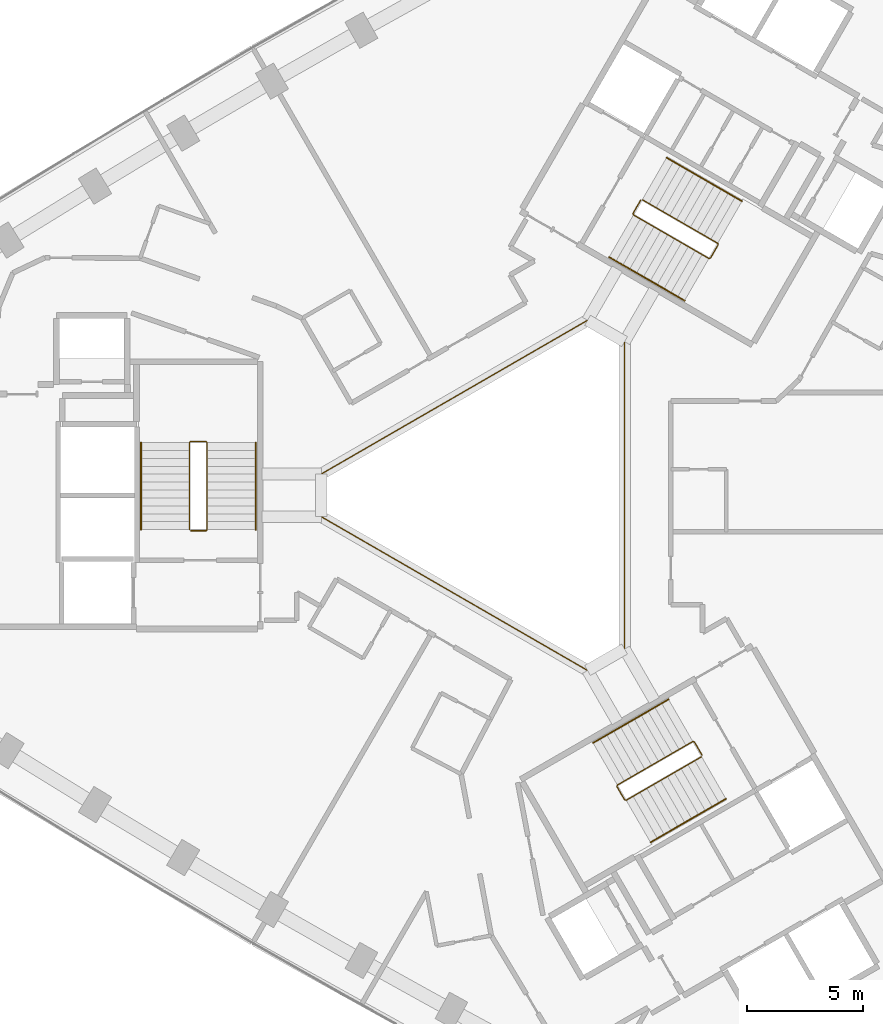
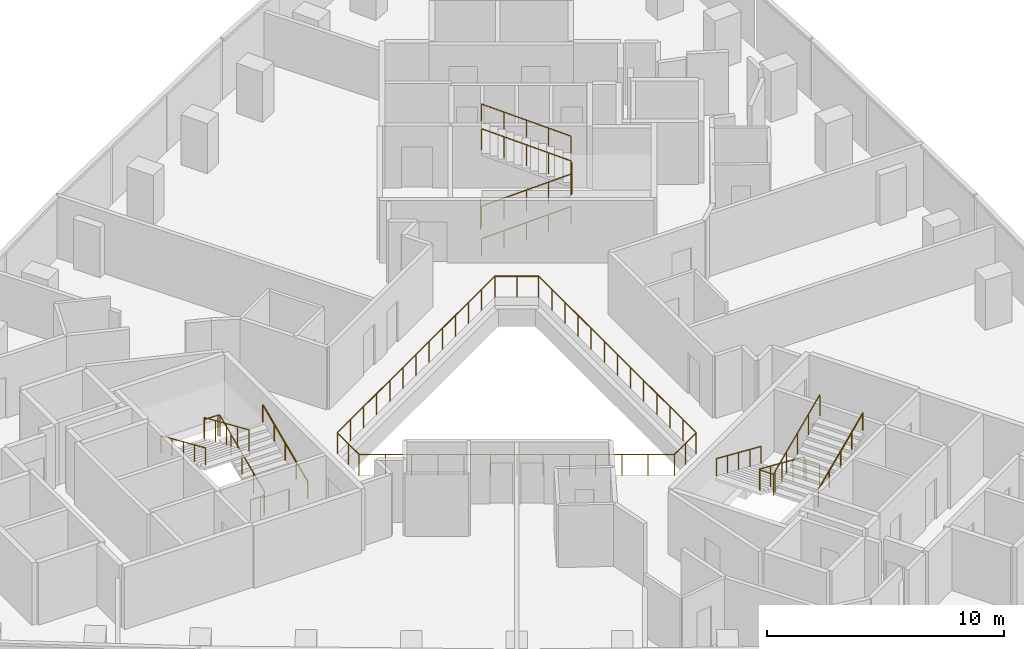
# One storey, part 12 of 12: 10 railings.
"""IFC4 building model written with IfcOpenShell, lengths in metres."""

from ifc_helpers import new_model, si_unit, direction, frame, origin, origin_2d, place, context, subcontext, project, spatial, circle, extrude, material, type_object, element, save


model = new_model("IFC4")

# Units and contexts
model_context = context("Model", 3, precision=1e-05, world=origin(), true_north=direction((0.0, 1.0)))
body_context = subcontext(model_context, "Body", "Model", "MODEL_VIEW")
ifc_project = project(units=[si_unit("LENGTHUNIT", "METRE"), si_unit("AREAUNIT", "SQUARE_METRE"), si_unit("VOLUMEUNIT", "CUBIC_METRE"), si_unit("PLANEANGLEUNIT", "RADIAN"), si_unit("MASSUNIT", "GRAM", prefix="KILO")], contexts=[model_context])

# Site, building, storey
site_placement = place(None, origin())
site = spatial("IfcSite", under=ifc_project, at=site_placement, CompositionType="ELEMENT")
building_placement = place(site_placement, origin())
building = spatial("IfcBuilding", under=site, at=building_placement, Name="Tamra Quay Hotel Tower", CompositionType="ELEMENT")
storey_placement = place(building_placement, frame((0.0, 0.0, 115.39990234375)))
storey = spatial("IfcBuildingStorey", under=building, at=storey_placement, Name="L28", CompositionType="ELEMENT", Elevation=115.39990234375)

# Railings
ifc_material_1 = material(Name="Guard atrium edge 1100")
railing_type_1 = type_object("IfcRailingType", Name="Guard atrium edge 1100", PredefinedType="GUARDRAIL", material=ifc_material_1)
railing_1_placement = place(storey_placement, frame((4.89990234375, -6.639892578125, 0.0)))
element("IfcRailing", 1, at=railing_1_placement, inside=storey, type_object=railing_type_1, Name="G-A", PredefinedType="GUARDRAIL", context=body_context, shape_type="SweptSolid", body=[
    extrude(circle(Radius=0.02392578125, at=origin_2d()), frame((0.0, 0.0, 1.076171875), z_axis=(-0.866161379324, -0.499764409465, 0.0), x_axis=(0.499764409465, -0.866161379324, 0.0)), (0.0, 0.0, 1.0), 1.84716796875),
    extrude(circle(Radius=0.02392578125, at=origin_2d()), frame((-1.599853515625, -0.923095703125, 1.076171875), z_axis=(-0.866045362687, 0.499965428574, 0.0), x_axis=(-0.499965428574, -0.866045362687, 0.0)), (0.0, 0.0, 1.0), 13.27880859375),
    extrude(circle(Radius=0.02392578125, at=origin_2d()), frame((-13.099853515625, 5.7158203125, 1.076171875), z_axis=(0.0, 1.0, 0.0), x_axis=(-1.0, 0.0, 0.0)), (0.0, 0.0, 1.0), 1.84814453125),
    extrude(circle(Radius=0.02392578125, at=origin_2d()), frame((-13.099853515625, 7.56396484375, 1.076171875), z_axis=(0.866045362687, 0.499965428574, 0.0), x_axis=(-0.499965428574, 0.866045362687, 0.0)), (0.0, 0.0, 1.0), 13.27880859375),
    extrude(circle(Radius=0.02392578125, at=origin_2d()), frame((-1.599853515625, 14.202880859375, 1.076171875), z_axis=(0.866161379324, -0.499764409465, 0.0), x_axis=(0.499764409465, 0.866161379324, 0.0)), (0.0, 0.0, 1.0), 1.84716796875),
    extrude(circle(Radius=0.02392578125, at=origin_2d()), frame((0.0, 13.27978515625, 1.076171875), z_axis=(0.0, -1.0, 0.0), x_axis=(1.0, 0.0, 0.0)), (0.0, 0.0, 1.0), 13.27978515625),
    extrude(circle(Radius=0.02099609375, at=origin_2d()), origin(), (0.0, 0.0, 1.0), 1.052001953125),
    extrude(circle(Radius=0.02099609375, at=origin_2d()), frame((-0.7998046875, -0.46142578125, 0.0)), (0.0, 0.0, 1.0), 1.052001953125),
    extrude(circle(Radius=0.02099609375, at=origin_2d()), frame((-1.599853515625, -0.923095703125, 0.0)), (0.0, 0.0, 1.0), 1.052001953125),
    extrude(circle(Radius=0.02099609375, at=origin_2d()), frame((-2.55810546875, -0.369873046875, 0.0)), (0.0, 0.0, 1.0), 1.052001953125),
    extrude(circle(Radius=0.02099609375, at=origin_2d()), frame((-3.5166015625, 0.183349609375, 0.0)), (0.0, 0.0, 1.0), 1.052001953125),
    extrude(circle(Radius=0.02099609375, at=origin_2d()), frame((-4.474853515625, 0.736572265625, 0.0)), (0.0, 0.0, 1.0), 1.052001953125),
    extrude(circle(Radius=0.02099609375, at=origin_2d()), frame((-5.43310546875, 1.289794921875, 0.0)), (0.0, 0.0, 1.0), 1.052001953125),
    extrude(circle(Radius=0.02099609375, at=origin_2d()), frame((-6.3916015625, 1.843017578125, 0.0)), (0.0, 0.0, 1.0), 1.052001953125),
    extrude(circle(Radius=0.02099609375, at=origin_2d()), frame((-7.349853515625, 2.396484375, 0.0)), (0.0, 0.0, 1.0), 1.052001953125),
    extrude(circle(Radius=0.02099609375, at=origin_2d()), frame((-8.30810546875, 2.94970703125, 0.0)), (0.0, 0.0, 1.0), 1.052001953125),
    extrude(circle(Radius=0.02099609375, at=origin_2d()), frame((-9.2666015625, 3.5029296875, 0.0)), (0.0, 0.0, 1.0), 1.052001953125),
    extrude(circle(Radius=0.02099609375, at=origin_2d()), frame((-10.224853515625, 4.05615234375, 0.0)), (0.0, 0.0, 1.0), 1.052001953125),
    extrude(circle(Radius=0.02099609375, at=origin_2d()), frame((-11.18310546875, 4.609375, 0.0)), (0.0, 0.0, 1.0), 1.052001953125),
    extrude(circle(Radius=0.02099609375, at=origin_2d()), frame((-12.1416015625, 5.16259765625, 0.0)), (0.0, 0.0, 1.0), 1.052001953125),
    extrude(circle(Radius=0.02099609375, at=origin_2d()), frame((-13.099853515625, 5.7158203125, 0.0)), (0.0, 0.0, 1.0), 1.052001953125),
    extrude(circle(Radius=0.02099609375, at=origin_2d()), frame((-13.099853515625, 6.639892578125, 0.0)), (0.0, 0.0, 1.0), 1.052001953125),
    extrude(circle(Radius=0.02099609375, at=origin_2d()), frame((-13.099853515625, 7.56396484375, 0.0)), (0.0, 0.0, 1.0), 1.052001953125),
    extrude(circle(Radius=0.02099609375, at=origin_2d()), frame((-12.1416015625, 8.1171875, 0.0)), (0.0, 0.0, 1.0), 1.052001953125),
    extrude(circle(Radius=0.02099609375, at=origin_2d()), frame((-11.18310546875, 8.67041015625, 0.0)), (0.0, 0.0, 1.0), 1.052001953125),
    extrude(circle(Radius=0.02099609375, at=origin_2d()), frame((-10.224853515625, 9.2236328125, 0.0)), (0.0, 0.0, 1.0), 1.052001953125),
    extrude(circle(Radius=0.02099609375, at=origin_2d()), frame((-9.2666015625, 9.77685546875, 0.0)), (0.0, 0.0, 1.0), 1.052001953125),
    extrude(circle(Radius=0.02099609375, at=origin_2d()), frame((-8.30810546875, 10.330078125, 0.0)), (0.0, 0.0, 1.0), 1.052001953125),
    extrude(circle(Radius=0.02099609375, at=origin_2d()), frame((-7.349853515625, 10.88330078125, 0.0)), (0.0, 0.0, 1.0), 1.052001953125),
    extrude(circle(Radius=0.02099609375, at=origin_2d()), frame((-6.3916015625, 11.436767578125, 0.0)), (0.0, 0.0, 1.0), 1.052001953125),
    extrude(circle(Radius=0.02099609375, at=origin_2d()), frame((-5.43310546875, 11.989990234375, 0.0)), (0.0, 0.0, 1.0), 1.052001953125),
    extrude(circle(Radius=0.02099609375, at=origin_2d()), frame((-4.474853515625, 12.543212890625, 0.0)), (0.0, 0.0, 1.0), 1.052001953125),
    extrude(circle(Radius=0.02099609375, at=origin_2d()), frame((-3.5166015625, 13.096435546875, 0.0)), (0.0, 0.0, 1.0), 1.052001953125),
    extrude(circle(Radius=0.02099609375, at=origin_2d()), frame((-2.55810546875, 13.649658203125, 0.0)), (0.0, 0.0, 1.0), 1.052001953125),
    extrude(circle(Radius=0.02099609375, at=origin_2d()), frame((-1.599853515625, 14.202880859375, 0.0)), (0.0, 0.0, 1.0), 1.052001953125),
    extrude(circle(Radius=0.02099609375, at=origin_2d()), frame((-0.7998046875, 13.7412109375, 0.0)), (0.0, 0.0, 1.0), 1.052001953125),
    extrude(circle(Radius=0.02099609375, at=origin_2d()), frame((0.0, 13.27978515625, 0.0)), (0.0, 0.0, 1.0), 1.052001953125),
    extrude(circle(Radius=0.02099609375, at=origin_2d()), frame((0.0, 12.173095703125, 0.0)), (0.0, 0.0, 1.0), 1.052001953125),
    extrude(circle(Radius=0.02099609375, at=origin_2d()), frame((0.0, 11.06640625, 0.0)), (0.0, 0.0, 1.0), 1.052001953125),
    extrude(circle(Radius=0.02099609375, at=origin_2d()), frame((0.0, 9.9599609375, 0.0)), (0.0, 0.0, 1.0), 1.052001953125),
    extrude(circle(Radius=0.02099609375, at=origin_2d()), frame((0.0, 8.853271484375, 0.0)), (0.0, 0.0, 1.0), 1.052001953125),
    extrude(circle(Radius=0.02099609375, at=origin_2d()), frame((0.0, 7.74658203125, 0.0)), (0.0, 0.0, 1.0), 1.052001953125),
    extrude(circle(Radius=0.02099609375, at=origin_2d()), frame((0.0, 6.639892578125, 0.0)), (0.0, 0.0, 1.0), 1.052001953125),
    extrude(circle(Radius=0.02099609375, at=origin_2d()), frame((0.0, 5.533203125, 0.0)), (0.0, 0.0, 1.0), 1.052001953125),
    extrude(circle(Radius=0.02099609375, at=origin_2d()), frame((0.0, 4.426513671875, 0.0)), (0.0, 0.0, 1.0), 1.052001953125),
    extrude(circle(Radius=0.02099609375, at=origin_2d()), frame((0.0, 3.31982421875, 0.0)), (0.0, 0.0, 1.0), 1.052001953125),
    extrude(circle(Radius=0.02099609375, at=origin_2d()), frame((0.0, 2.21337890625, 0.0)), (0.0, 0.0, 1.0), 1.052001953125),
    extrude(circle(Radius=0.02099609375, at=origin_2d()), frame((0.0, 1.106689453125, 0.0)), (0.0, 0.0, 1.0), 1.052001953125),
])
ifc_material_2 = material(Name="Stair guard 1100")
railing_type_2 = type_object("IfcRailingType", Name="Stair guard 1100", PredefinedType="GUARDRAIL", material=ifc_material_2)
railing_2_placement = place(storey_placement, frame((-13.84130859375, -1.530029296875, 0.0)))
element("IfcRailing", 2, at=railing_2_placement, inside=storey, type_object=railing_type_2, Name="GR", PredefinedType="GUARDRAIL", context=body_context, shape_type="SweptSolid", body=[
    extrude(circle(Radius=0.02392578125, at=origin_2d()), frame((0.0, 0.0, 1.076171875), z_axis=(1.0, 0.0, 0.0), x_axis=(0.0, 1.0, 0.0)), (0.0, 0.0, 1.0), 0.658935546875),
    extrude(circle(Radius=0.02392578125, at=origin_2d()), frame((0.658935546875, 0.0, 1.076171875), z_axis=(0.301511344578, 0.301511344578, 0.904534033733), x_axis=(-0.707106781187, 0.707106781187, 0.0)), (0.0, 0.0, 1.0), 0.166015625),
    extrude(circle(Radius=0.02392578125, at=origin_2d()), frame((0.708984375, 0.050048828125, 1.22607421875), z_axis=(0.0, 0.915795495799, 0.401644880304), x_axis=(-1.0, 0.0, 0.0)), (0.0, 0.0, 1.0), 4.10791015625),
    extrude(circle(Radius=0.02392578125, at=origin_2d()), frame((0.708984375, 3.81201171875, 2.8759765625), z_axis=(-0.708833529934, 0.705375805398, 0.0), x_axis=(-0.705375805398, -0.708833529934, 0.0)), (0.0, 0.0, 1.0), 0.070556640625),
    extrude(circle(Radius=0.02392578125, at=origin_2d()), frame((0.658935546875, 3.86181640625, 2.8759765625), z_axis=(-1.0, 0.0, 0.0), x_axis=(0.0, -1.0, 0.0)), (0.0, 0.0, 1.0), 0.658935546875),
    extrude(circle(Radius=0.02392578125, at=origin_2d()), frame((0.0, 3.86181640625, 2.8759765625), z_axis=(-0.301644814947, -0.300173376825, 0.904934444842), x_axis=(0.705375805398, -0.708833529934, 0.0)), (0.0, 0.0, 1.0), 0.166015625),
    extrude(circle(Radius=0.02392578125, at=origin_2d()), frame((-0.050048828125, 3.81201171875, 3.0263671875), z_axis=(0.0, -0.915795495799, 0.401644880304), x_axis=(1.0, 0.0, 0.0)), (0.0, 0.0, 1.0), 4.10791015625),
    extrude(circle(Radius=0.02099609375, at=origin_2d()), origin(), (0.0, 0.0, 1.0), 1.052001953125),
    extrude(circle(Radius=0.02099609375, at=origin_2d()), frame((0.658935546875, 0.0, 0.0)), (0.0, 0.0, 1.0), 1.052001953125),
    extrude(circle(Radius=0.02099609375, at=origin_2d()), frame((0.708984375, 0.050048828125, 0.150146484375)), (0.0, 0.0, 1.0), 1.052001953125),
    extrude(circle(Radius=0.02099609375, at=origin_2d()), frame((0.708984375, 0.990478515625, 0.5625)), (0.0, 0.0, 1.0), 1.052001953125),
    extrude(circle(Radius=0.02099609375, at=origin_2d()), frame((0.708984375, 1.93115234375, 0.97509765625)), (0.0, 0.0, 1.0), 1.052001953125),
    extrude(circle(Radius=0.02099609375, at=origin_2d()), frame((0.708984375, 2.87158203125, 1.3876953125)), (0.0, 0.0, 1.0), 1.052001953125),
    extrude(circle(Radius=0.02099609375, at=origin_2d()), frame((0.708984375, 3.81201171875, 1.800048828125)), (0.0, 0.0, 1.0), 1.052001953125),
    extrude(circle(Radius=0.02099609375, at=origin_2d()), frame((0.658935546875, 3.86181640625, 1.800048828125)), (0.0, 0.0, 1.0), 1.052001953125),
    extrude(circle(Radius=0.02099609375, at=origin_2d()), frame((0.0, 3.86181640625, 1.800048828125)), (0.0, 0.0, 1.0), 1.052001953125),
    extrude(circle(Radius=0.02099609375, at=origin_2d()), frame((-0.050048828125, 3.81201171875, 1.9501953125)), (0.0, 0.0, 1.0), 1.052001953125),
    extrude(circle(Radius=0.02099609375, at=origin_2d()), frame((-0.050048828125, 2.87158203125, 2.36279296875)), (0.0, 0.0, 1.0), 1.052001953125),
    extrude(circle(Radius=0.02099609375, at=origin_2d()), frame((-0.050048828125, 1.93115234375, 2.775146484375)), (0.0, 0.0, 1.0), 1.052001953125),
    extrude(circle(Radius=0.02099609375, at=origin_2d()), frame((-0.050048828125, 0.990478515625, 3.1875)), (0.0, 0.0, 1.0), 1.052001953125),
    extrude(circle(Radius=0.02099609375, at=origin_2d()), frame((-0.050048828125, 0.050048828125, 3.60009765625)), (0.0, 0.0, 1.0), 1.052001953125),
])
railing_3_placement = place(storey_placement, frame((5.595458984375, 12.751953125, 0.0)))
element("IfcRailing", 3, at=railing_3_placement, inside=storey, type_object=railing_type_2, Name="GR", PredefinedType="GUARDRAIL", context=body_context, shape_type="SweptSolid", body=[
    extrude(circle(Radius=0.02392578125, at=origin_2d()), frame((0.0, 0.0, 1.076171875), z_axis=(-0.499765215335, -0.866160914346, 0.0), x_axis=(0.866160914346, -0.499765215335, 0.0)), (0.0, 0.0, 1.0), 0.658935546875),
    extrude(circle(Radius=0.02392578125, at=origin_2d()), frame((-0.329345703125, -0.57080078125, 1.076171875), z_axis=(0.110378772244, -0.410609032747, 0.905105932399), x_axis=(0.965715946433, 0.259601060869, 0.0)), (0.0, 0.0, 1.0), 0.165771484375),
    extrude(circle(Radius=0.02392578125, at=origin_2d()), frame((-0.31103515625, -0.638916015625, 1.22607421875), z_axis=(0.793078462799, -0.457933869594, 0.401650498471), x_axis=(0.500040788363, 0.866001853331, 0.0)), (0.0, 0.0, 1.0), 4.10791015625),
    extrude(circle(Radius=0.02392578125, at=origin_2d()), frame((2.94677734375, -2.52001953125, 2.8759765625), z_axis=(0.965948051503, 0.258736085224, 0.0), x_axis=(-0.258736085224, 0.965948051503, 0.0)), (0.0, 0.0, 1.0), 0.07080078125),
    extrude(circle(Radius=0.02392578125, at=origin_2d()), frame((3.01513671875, -2.501708984375, 2.8759765625), z_axis=(0.500043078269, 0.866000531106, 0.0), x_axis=(-0.866000531106, 0.500043078269, 0.0)), (0.0, 0.0, 1.0), 0.6591796875),
    extrude(circle(Radius=0.02392578125, at=origin_2d()), frame((3.3447265625, -1.930908203125, 2.8759765625), z_axis=(-0.110378772244, 0.410609032747, 0.905105932399), x_axis=(-0.965715946433, -0.259601060869, 0.0)), (0.0, 0.0, 1.0), 0.165771484375),
    extrude(circle(Radius=0.02392578125, at=origin_2d()), frame((3.326416015625, -1.86279296875, 3.0263671875), z_axis=(-0.793100512587, 0.457912285461, 0.401631567183), x_axis=(-0.500012686397, -0.866018079166, 0.0)), (0.0, 0.0, 1.0), 4.10791015625),
    extrude(circle(Radius=0.02099609375, at=origin_2d()), origin(), (0.0, 0.0, 1.0), 1.052001953125),
    extrude(circle(Radius=0.02099609375, at=origin_2d()), frame((-0.329345703125, -0.57080078125, 0.0)), (0.0, 0.0, 1.0), 1.052001953125),
    extrude(circle(Radius=0.02099609375, at=origin_2d()), frame((-0.31103515625, -0.638916015625, 0.150146484375)), (0.0, 0.0, 1.0), 1.052001953125),
    extrude(circle(Radius=0.02099609375, at=origin_2d()), frame((0.50341796875, -1.109130859375, 0.5625)), (0.0, 0.0, 1.0), 1.052001953125),
    extrude(circle(Radius=0.02099609375, at=origin_2d()), frame((1.31787109375, -1.57958984375, 0.97509765625)), (0.0, 0.0, 1.0), 1.052001953125),
    extrude(circle(Radius=0.02099609375, at=origin_2d()), frame((2.13232421875, -2.0498046875, 1.3876953125)), (0.0, 0.0, 1.0), 1.052001953125),
    extrude(circle(Radius=0.02099609375, at=origin_2d()), frame((2.94677734375, -2.52001953125, 1.800048828125)), (0.0, 0.0, 1.0), 1.052001953125),
    extrude(circle(Radius=0.02099609375, at=origin_2d()), frame((3.01513671875, -2.501708984375, 1.800048828125)), (0.0, 0.0, 1.0), 1.052001953125),
    extrude(circle(Radius=0.02099609375, at=origin_2d()), frame((3.3447265625, -1.930908203125, 1.800048828125)), (0.0, 0.0, 1.0), 1.052001953125),
    extrude(circle(Radius=0.02099609375, at=origin_2d()), frame((3.326416015625, -1.86279296875, 1.9501953125)), (0.0, 0.0, 1.0), 1.052001953125),
    extrude(circle(Radius=0.02099609375, at=origin_2d()), frame((2.511962890625, -1.392578125, 2.36279296875)), (0.0, 0.0, 1.0), 1.052001953125),
    extrude(circle(Radius=0.02099609375, at=origin_2d()), frame((1.697265625, -0.92236328125, 2.775146484375)), (0.0, 0.0, 1.0), 1.052001953125),
    extrude(circle(Radius=0.02099609375, at=origin_2d()), frame((0.8828125, -0.451904296875, 3.1875)), (0.0, 0.0, 1.0), 1.052001953125),
    extrude(circle(Radius=0.02099609375, at=origin_2d()), frame((0.068359375, 0.018310546875, 3.60009765625)), (0.0, 0.0, 1.0), 1.052001953125),
])
railing_4_placement = place(storey_placement, frame((8.245849609375, -11.221923828125, 0.0)))
element("IfcRailing", 4, at=railing_4_placement, inside=storey, type_object=railing_type_2, Name="GR", PredefinedType="GUARDRAIL", context=body_context, shape_type="SweptSolid", body=[
    extrude(circle(Radius=0.02392578125, at=origin_2d()), frame((0.0, 0.0, 1.076171875), z_axis=(-0.500043078269, 0.866000531106, 0.0), x_axis=(-0.866000531106, -0.500043078269, 0.0)), (0.0, 0.0, 1.0), 0.6591796875),
    extrude(circle(Radius=0.02392578125, at=origin_2d()), frame((-0.32958984375, 0.57080078125, 1.076171875), z_axis=(-0.411831509231, 0.110312011401, 0.90455849349), x_axis=(-0.258736085224, -0.965948051503, 0.0)), (0.0, 0.0, 1.0), 0.166015625),
    extrude(circle(Radius=0.02392578125, at=origin_2d()), frame((-0.39794921875, 0.589111328125, 1.22607421875), z_axis=(-0.793100512587, -0.457912285461, 0.401631567183), x_axis=(0.500012686397, -0.866018079166, 0.0)), (0.0, 0.0, 1.0), 4.10791015625),
    extrude(circle(Radius=0.02392578125, at=origin_2d()), frame((-3.656005859375, -1.2919921875, 2.8759765625), z_axis=(-0.256368644879, -0.966579080015, 0.0), x_axis=(0.966579080015, -0.256368644879, 0.0)), (0.0, 0.0, 1.0), 0.070556640625),
    extrude(circle(Radius=0.02392578125, at=origin_2d()), frame((-3.674072265625, -1.360107421875, 2.8759765625), z_axis=(0.499765215335, -0.866160914346, 0.0), x_axis=(0.866160914346, 0.499765215335, 0.0)), (0.0, 0.0, 1.0), 0.658935546875),
    extrude(circle(Radius=0.02392578125, at=origin_2d()), frame((-3.3447265625, -1.930908203125, 2.8759765625), z_axis=(0.411831509231, -0.110312011401, 0.90455849349), x_axis=(0.258736085224, 0.965948051503, 0.0)), (0.0, 0.0, 1.0), 0.166015625),
    extrude(circle(Radius=0.02392578125, at=origin_2d()), frame((-3.2763671875, -1.94921875, 3.0263671875), z_axis=(0.793100512587, 0.457912285461, 0.401631567183), x_axis=(-0.500012686397, 0.866018079166, 0.0)), (0.0, 0.0, 1.0), 4.10791015625),
    extrude(circle(Radius=0.02099609375, at=origin_2d()), origin(), (0.0, 0.0, 1.0), 1.052001953125),
    extrude(circle(Radius=0.02099609375, at=origin_2d()), frame((-0.32958984375, 0.57080078125, 0.0)), (0.0, 0.0, 1.0), 1.052001953125),
    extrude(circle(Radius=0.02099609375, at=origin_2d()), frame((-0.39794921875, 0.589111328125, 0.150146484375)), (0.0, 0.0, 1.0), 1.052001953125),
    extrude(circle(Radius=0.02099609375, at=origin_2d()), frame((-1.21240234375, 0.118896484375, 0.5625)), (0.0, 0.0, 1.0), 1.052001953125),
    extrude(circle(Radius=0.02099609375, at=origin_2d()), frame((-2.02685546875, -0.3515625, 0.97509765625)), (0.0, 0.0, 1.0), 1.052001953125),
    extrude(circle(Radius=0.02099609375, at=origin_2d()), frame((-2.841552734375, -0.82177734375, 1.3876953125)), (0.0, 0.0, 1.0), 1.052001953125),
    extrude(circle(Radius=0.02099609375, at=origin_2d()), frame((-3.656005859375, -1.2919921875, 1.800048828125)), (0.0, 0.0, 1.0), 1.052001953125),
    extrude(circle(Radius=0.02099609375, at=origin_2d()), frame((-3.674072265625, -1.360107421875, 1.800048828125)), (0.0, 0.0, 1.0), 1.052001953125),
    extrude(circle(Radius=0.02099609375, at=origin_2d()), frame((-3.3447265625, -1.930908203125, 1.800048828125)), (0.0, 0.0, 1.0), 1.052001953125),
    extrude(circle(Radius=0.02099609375, at=origin_2d()), frame((-3.2763671875, -1.94921875, 1.9501953125)), (0.0, 0.0, 1.0), 1.052001953125),
    extrude(circle(Radius=0.02099609375, at=origin_2d()), frame((-2.4619140625, -1.47900390625, 2.36279296875)), (0.0, 0.0, 1.0), 1.052001953125),
    extrude(circle(Radius=0.02099609375, at=origin_2d()), frame((-1.6474609375, -1.0087890625, 2.775146484375)), (0.0, 0.0, 1.0), 1.052001953125),
    extrude(circle(Radius=0.02099609375, at=origin_2d()), frame((-0.832763671875, -0.538330078125, 3.1875)), (0.0, 0.0, 1.0), 1.052001953125),
    extrude(circle(Radius=0.02099609375, at=origin_2d()), frame((-0.018310546875, -0.068115234375, 3.60009765625)), (0.0, 0.0, 1.0), 1.052001953125),
])
ifc_material_3 = material(Name="Stair handrail 900")
railing_type_3 = type_object("IfcRailingType", Name="Stair handrail 900", PredefinedType="HANDRAIL", material=ifc_material_3)
railing_5_placement = place(storey_placement, frame((-11.0322265625, -1.47998046875, 0.150146484375)))
element("IfcRailing", 5, at=railing_5_placement, inside=storey, type_object=railing_type_3, Name="HR", PredefinedType="HANDRAIL", context=body_context, shape_type="SweptSolid", body=[
    extrude(circle(Radius=0.02392578125, at=origin_2d()), frame((0.0, 0.0, 0.8759765625), z_axis=(0.0, 0.915795495799, 0.401644880304), x_axis=(-1.0, 0.0, 0.0)), (0.0, 0.0, 1.0), 4.10791015625),
    extrude(circle(Radius=0.02099609375, at=origin_2d()), origin(), (0.0, 0.0, 1.0), 0.851806640625),
    extrude(circle(Radius=0.02099609375, at=origin_2d()), frame((0.0, 0.9404296875, 0.41259765625)), (0.0, 0.0, 1.0), 0.851806640625),
    extrude(circle(Radius=0.02099609375, at=origin_2d()), frame((0.0, 1.880859375, 0.824951171875)), (0.0, 0.0, 1.0), 0.851806640625),
    extrude(circle(Radius=0.02099609375, at=origin_2d()), frame((0.0, 2.821533203125, 1.2373046875)), (0.0, 0.0, 1.0), 0.851806640625),
    extrude(circle(Radius=0.02099609375, at=origin_2d()), frame((0.0, 3.761962890625, 1.64990234375)), (0.0, 0.0, 1.0), 0.851806640625),
])
railing_6_placement = place(storey_placement, frame((-15.9912109375, 2.281982421875, 1.9501953125)))
element("IfcRailing", 6, at=railing_6_placement, inside=storey, type_object=railing_type_3, Name="HR", PredefinedType="HANDRAIL", context=body_context, shape_type="SweptSolid", body=[
    extrude(circle(Radius=0.02392578125, at=origin_2d()), frame((0.0, 0.0, 0.8759765625), z_axis=(0.0, -0.915795495799, 0.401644880304), x_axis=(1.0, 0.0, 0.0)), (0.0, 0.0, 1.0), 4.10791015625),
    extrude(circle(Radius=0.02099609375, at=origin_2d()), origin(), (0.0, 0.0, 1.0), 0.851806640625),
    extrude(circle(Radius=0.02099609375, at=origin_2d()), frame((0.0, -0.9404296875, 0.41259765625)), (0.0, 0.0, 1.0), 0.851806640625),
    extrude(circle(Radius=0.02099609375, at=origin_2d()), frame((0.0, -1.880859375, 0.824951171875)), (0.0, 0.0, 1.0), 0.851806640625),
    extrude(circle(Radius=0.02099609375, at=origin_2d()), frame((0.0, -2.821533203125, 1.2373046875)), (0.0, 0.0, 1.0), 0.851806640625),
    extrude(circle(Radius=0.02099609375, at=origin_2d()), frame((0.0, -3.761962890625, 1.64990234375)), (0.0, 0.0, 1.0), 0.851806640625),
])
railing_7_placement = place(storey_placement, frame((4.234375, 10.294189453125, 0.150146484375)))
element("IfcRailing", 7, at=railing_7_placement, inside=storey, type_object=railing_type_3, Name="HR", PredefinedType="HANDRAIL", context=body_context, shape_type="SweptSolid", body=[
    extrude(circle(Radius=0.02392578125, at=origin_2d()), frame((0.0, 0.0, 0.8759765625), z_axis=(0.793122095483, -0.45786531462, 0.401642496911), x_axis=(0.499964013922, 0.86604617936, 0.0)), (0.0, 0.0, 1.0), 4.10791015625),
    extrude(circle(Radius=0.02099609375, at=origin_2d()), origin(), (0.0, 0.0, 1.0), 0.851806640625),
    extrude(circle(Radius=0.02099609375, at=origin_2d()), frame((0.814453125, -0.47021484375, 0.41259765625)), (0.0, 0.0, 1.0), 0.851806640625),
    extrude(circle(Radius=0.02099609375, at=origin_2d()), frame((1.62890625, -0.9404296875, 0.824951171875)), (0.0, 0.0, 1.0), 0.851806640625),
    extrude(circle(Radius=0.02099609375, at=origin_2d()), frame((2.443603515625, -1.41064453125, 1.2373046875)), (0.0, 0.0, 1.0), 0.851806640625),
    extrude(circle(Radius=0.02099609375, at=origin_2d()), frame((3.258056640625, -1.880859375, 1.64990234375)), (0.0, 0.0, 1.0), 0.851806640625),
])
railing_8_placement = place(storey_placement, frame((9.971923828125, 12.7080078125, 1.9501953125)))
element("IfcRailing", 8, at=railing_8_placement, inside=storey, type_object=railing_type_3, Name="HR", PredefinedType="HANDRAIL", context=body_context, shape_type="SweptSolid", body=[
    extrude(circle(Radius=0.02392578125, at=origin_2d()), frame((0.0, 0.0, 0.8759765625), z_axis=(-0.793122095483, 0.45786531462, 0.401642496911), x_axis=(-0.499964013922, -0.86604617936, 0.0)), (0.0, 0.0, 1.0), 4.10791015625),
    extrude(circle(Radius=0.02099609375, at=origin_2d()), origin(), (0.0, 0.0, 1.0), 0.851806640625),
    extrude(circle(Radius=0.02099609375, at=origin_2d()), frame((-0.814453125, 0.47021484375, 0.41259765625)), (0.0, 0.0, 1.0), 0.851806640625),
    extrude(circle(Radius=0.02099609375, at=origin_2d()), frame((-1.62890625, 0.9404296875, 0.824951171875)), (0.0, 0.0, 1.0), 0.851806640625),
    extrude(circle(Radius=0.02099609375, at=origin_2d()), frame((-2.443603515625, 1.41064453125, 1.2373046875)), (0.0, 0.0, 1.0), 0.851806640625),
    extrude(circle(Radius=0.02099609375, at=origin_2d()), frame((-3.258056640625, 1.880859375, 1.64990234375)), (0.0, 0.0, 1.0), 0.851806640625),
])
railing_9_placement = place(storey_placement, frame((6.7978515625, -8.814208984375, 0.150146484375)))
element("IfcRailing", 9, at=railing_9_placement, inside=storey, type_object=railing_type_3, Name="HR", PredefinedType="HANDRAIL", context=body_context, shape_type="SweptSolid", body=[
    extrude(circle(Radius=0.02392578125, at=origin_2d()), frame((0.0, 0.0, 0.8759765625), z_axis=(-0.79310004713, -0.457886897714, 0.401661429744), x_axis=(0.499992114976, -0.866029956157, 0.0)), (0.0, 0.0, 1.0), 4.107666015625),
    extrude(circle(Radius=0.02099609375, at=origin_2d()), origin(), (0.0, 0.0, 1.0), 0.851806640625),
    extrude(circle(Radius=0.02099609375, at=origin_2d()), frame((-0.814453125, -0.47021484375, 0.41259765625)), (0.0, 0.0, 1.0), 0.851806640625),
    extrude(circle(Radius=0.02099609375, at=origin_2d()), frame((-1.62890625, -0.9404296875, 0.824951171875)), (0.0, 0.0, 1.0), 0.851806640625),
    extrude(circle(Radius=0.02099609375, at=origin_2d()), frame((-2.443359375, -1.41064453125, 1.2373046875)), (0.0, 0.0, 1.0), 0.851806640625),
    extrude(circle(Radius=0.02099609375, at=origin_2d()), frame((-3.2578125, -1.880859375, 1.64990234375)), (0.0, 0.0, 1.0), 0.851806640625),
])
railing_10_placement = place(storey_placement, frame((6.01953125, -14.98974609375, 1.9501953125)))
element("IfcRailing", 10, at=railing_10_placement, inside=storey, type_object=railing_type_3, Name="HR", PredefinedType="HANDRAIL", context=body_context, shape_type="SweptSolid", body=[
    extrude(circle(Radius=0.02392578125, at=origin_2d()), frame((0.0, 0.0, 0.8759765625), z_axis=(0.79310004713, 0.457886897714, 0.401661429744), x_axis=(-0.499992114976, 0.866029956157, 0.0)), (0.0, 0.0, 1.0), 4.107666015625),
    extrude(circle(Radius=0.02099609375, at=origin_2d()), origin(), (0.0, 0.0, 1.0), 0.851806640625),
    extrude(circle(Radius=0.02099609375, at=origin_2d()), frame((0.814453125, 0.47021484375, 0.41259765625)), (0.0, 0.0, 1.0), 0.851806640625),
    extrude(circle(Radius=0.02099609375, at=origin_2d()), frame((1.62890625, 0.9404296875, 0.824951171875)), (0.0, 0.0, 1.0), 0.851806640625),
    extrude(circle(Radius=0.02099609375, at=origin_2d()), frame((2.443359375, 1.41064453125, 1.2373046875)), (0.0, 0.0, 1.0), 0.851806640625),
    extrude(circle(Radius=0.02099609375, at=origin_2d()), frame((3.2578125, 1.880859375, 1.64990234375)), (0.0, 0.0, 1.0), 0.851806640625),
])

save(model, "model.ifc")
